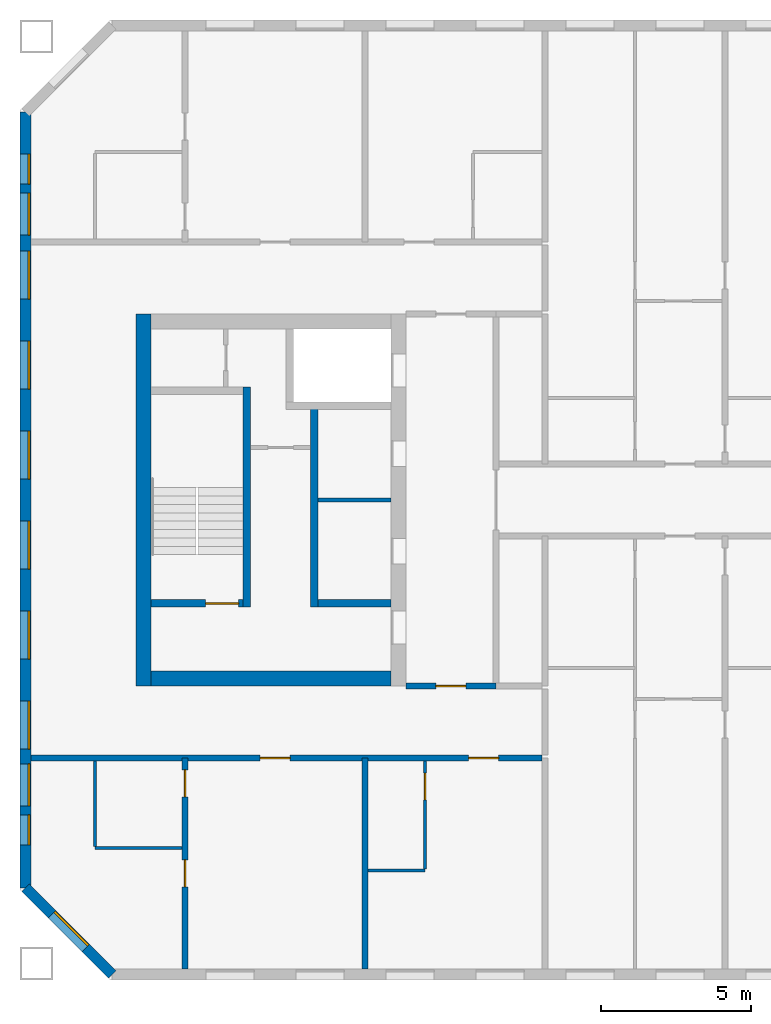
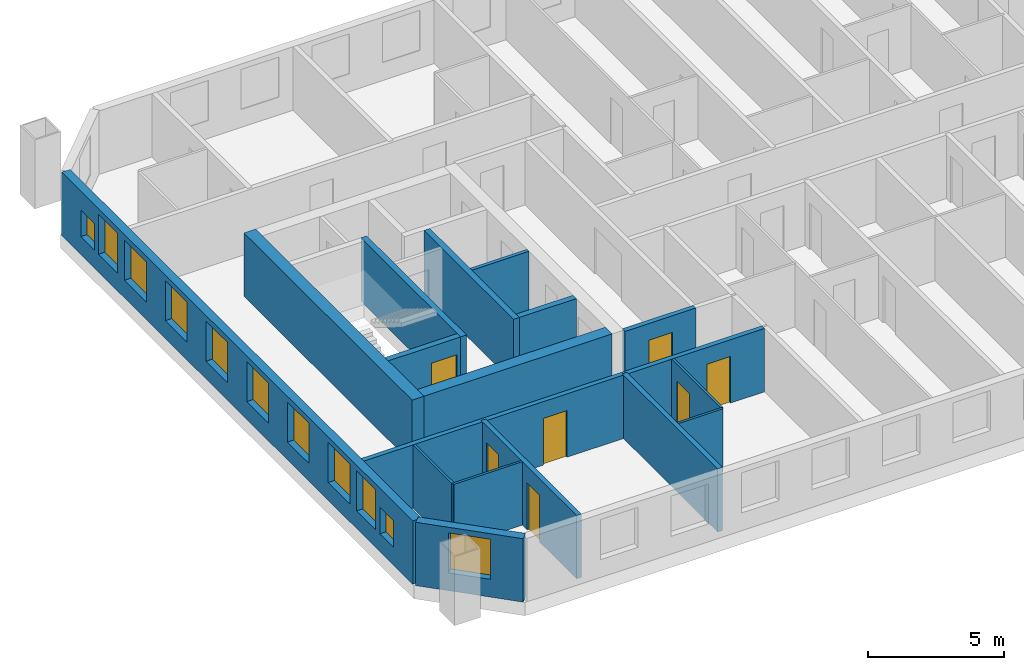
# One storey, part 2 of 15: 17 walls, 11 windows, 7 doors, 18 openings.
"""IFC4 building model written with IfcOpenShell, lengths in metres."""

import ifcopenshell
import ifcopenshell.guid

model = None  # the IFC model being written
_history = None  # IfcOwnerHistory: only IFC2X3 demands one
_inside = {}  # id of a spatial element -> (the spatial element, [elements in it])
_under = {}  # id of a project, library or spatial element -> (it, [spatial elements below it])
_declared = {}  # id of a project -> (the project, [libraries it declares])
_typed = {}  # id of a type object -> (the type object, [elements of that type])
_made_of = {}  # id of a material, layer set ... -> (it, [elements and type objects made of it])


def new_model(schema):
    """Start an empty IFC model of exactly this schema.

    Asked for "IFC4X3", IfcOpenShell would pick the latest addendum, in which some entities
    have other attributes; the version numbers below select the first issue.
    IFC2X3 requires an IfcOwnerHistory on every rooted entity: one is made here for all.
    """
    global model, _history
    if schema == "IFC4X3":
        model = ifcopenshell.file(schema_version=(4, 3, 0, 0))
    else:
        model = ifcopenshell.file(schema=schema)
    _inside.clear()
    _under.clear()
    _declared.clear()
    _typed.clear()
    _made_of.clear()
    _history = None
    if model.schema == "IFC2X3":
        org = make("IfcOrganization", Name="unknown")
        user = make(
            "IfcPersonAndOrganization",
            ThePerson=make("IfcPerson", FamilyName="unknown"),
            TheOrganization=org,
        )
        app = make(
            "IfcApplication",
            ApplicationDeveloper=org,
            Version="unknown",
            ApplicationFullName="unknown",
            ApplicationIdentifier="unknown",
        )
        _history = make(
            "IfcOwnerHistory",
            OwningUser=user,
            OwningApplication=app,
            ChangeAction="ADDED",
            CreationDate=0,
        )
    return model


def make(cls, **values):
    """One entity of the class cls with the attributes given. An attribute that is None is left unset."""
    return model.create_entity(
        cls, **{name: value for name, value in values.items() if value is not None}
    )


def rooted(cls, **values):
    """An entity with a GlobalId (a new one), such as an element, a storey or a relation."""
    return make(cls, GlobalId=ifcopenshell.guid.new(), OwnerHistory=_history, **values)


def si_unit(unit_type, name, prefix=None):
    """IfcSIUnit, for example si_unit("LENGTHUNIT", "METRE", prefix="MILLI")."""
    return make("IfcSIUnit", UnitType=unit_type, Prefix=prefix, Name=name)


def assignment(units):
    """IfcUnitAssignment: the units of a project."""
    return None if units is None else make("IfcUnitAssignment", Units=units)


def point(xyz):
    """IfcCartesianPoint."""
    return None if xyz is None else make("IfcCartesianPoint", Coordinates=xyz)


def direction(xyz):
    """IfcDirection."""
    return None if xyz is None else make("IfcDirection", DirectionRatios=xyz)


def frame(location, z_axis=None, x_axis=None):
    """IfcAxis2Placement3D, a coordinate frame: its origin and axes. An axis left out is left unset."""
    return make(
        "IfcAxis2Placement3D",
        Location=point(location),
        Axis=direction(z_axis),
        RefDirection=direction(x_axis),
    )


def frame_2d(location, x_axis=None):
    """IfcAxis2Placement2D, a coordinate frame in the plane: its origin and x axis."""
    return make(
        "IfcAxis2Placement2D", Location=point(location), RefDirection=direction(x_axis)
    )


def origin():
    """The frame at (0, 0, 0) with its axes left unset."""
    return frame((0.0, 0.0, 0.0))


def place(relative_to, where):
    """IfcLocalPlacement: puts the frame where relative to a parent placement (None: the world)."""
    return make(
        "IfcLocalPlacement", PlacementRelTo=relative_to, RelativePlacement=where
    )


def context(
    kind, dimensions, precision=None, world=None, true_north=None, identifier=None
):
    """IfcGeometricRepresentationContext, for example the 3D "Model" context."""
    return make(
        "IfcGeometricRepresentationContext",
        ContextIdentifier=identifier,
        ContextType=kind,
        CoordinateSpaceDimension=dimensions,
        Precision=precision,
        WorldCoordinateSystem=world,
        TrueNorth=true_north,
    )


def subcontext(parent, identifier, kind, view, scale=None):
    """IfcGeometricRepresentationSubContext, for example "Body" below "Model"."""
    return make(
        "IfcGeometricRepresentationSubContext",
        ContextIdentifier=identifier,
        ContextType=kind,
        ParentContext=parent,
        TargetScale=scale,
        TargetView=view,
    )


def project(units=None, contexts=None):
    """IfcProject with its units and contexts."""
    return rooted(
        "IfcProject",
        Name="project",
        RepresentationContexts=contexts,
        UnitsInContext=assignment(units),
    )


def spatial(cls, under=None, at=None, **own):
    """A site, building, storey or space (cls), placed at a placement, below another one or the project."""
    s = rooted(cls, ObjectPlacement=at, **own)
    if under is not None:
        _under.setdefault(under.id(), (under, []))[1].append(s)
    return s


def profile(cls, at=None, kind="AREA", **sizes):
    """A parametric profile (cls). Its sizes go by their IFC names, for example OverallWidth=200.0."""
    return make(cls, ProfileType=kind, Position=at, **sizes)


def rectangle(**sizes):
    """IfcRectangleProfileDef."""
    return profile("IfcRectangleProfileDef", **sizes)


def extrude(swept, where, along, depth):
    """IfcExtrudedAreaSolid: the profile swept, set in the frame where, extruded along a direction by depth."""
    return make(
        "IfcExtrudedAreaSolid",
        SweptArea=swept,
        Position=where,
        ExtrudedDirection=direction(along),
        Depth=depth,
    )


def shape(context_of_items, identifier, shape_type, items):
    """IfcShapeRepresentation: the items that make up one representation, for example the "Body"."""
    return make(
        "IfcShapeRepresentation",
        ContextOfItems=context_of_items,
        RepresentationIdentifier=identifier,
        RepresentationType=shape_type,
        Items=items,
    )


def material(Name=None, Category=None):
    """IfcMaterial."""
    return make("IfcMaterial", Name=Name, Category=Category)


def layer(
    of_material, thickness, ventilated=None, Name=None, Category=None, Priority=None
):
    """IfcMaterialLayer: one layer of a wall or slab, of a material (None: an air gap)."""
    return make(
        "IfcMaterialLayer",
        Material=of_material,
        LayerThickness=thickness,
        IsVentilated=ventilated,
        Name=Name,
        Category=Category,
        Priority=Priority,
    )


def layer_set(layers, Name=None):
    """IfcMaterialLayerSet."""
    return make("IfcMaterialLayerSet", MaterialLayers=layers, LayerSetName=Name)


def made_of(thing, what):
    """Note that an element or type object is made of a material, layer set ...; save() writes the relation."""
    if what is not None:
        _made_of.setdefault(what.id(), (what, []))[1].append(thing)
    return thing


def type_object(cls, material=None, **own):
    """A type object (cls), such as IfcWallType, which elements share."""
    return made_of(rooted(cls, **own), material)


def element(
    cls,
    number,
    at=None,
    inside=None,
    cuts=None,
    type_object=None,
    material=None,
    context=None,
    identifier="Body",
    shape_type=None,
    held_by="IfcProductDefinitionShape",
    body=None,
    shapes=None,
    **own,
):
    """One element of the class cls, such as IfcWall. Its Tag is "e" and its number.

    at: its placement. inside: the storey or other place that contains it. cuts: it is an
    opening in that element (IfcRelVoidsElement). A single representation is given by context,
    identifier, shape_type and body (its items); several are given by shapes. held_by: the class
    of the entity that holds the representations. save() writes the other relations.
    """
    e = rooted(cls, Tag="e%d" % number, ObjectPlacement=at, **own)
    if body is not None:
        shapes = [shape(context, identifier, shape_type, body)]
    if shapes is not None:
        e.Representation = make(held_by, Representations=shapes)
    if inside is not None:
        _inside.setdefault(inside.id(), (inside, []))[1].append(e)
    if cuts is not None:
        rooted(
            "IfcRelVoidsElement", RelatingBuildingElement=cuts, RelatedOpeningElement=e
        )
    if type_object is not None:
        _typed.setdefault(type_object.id(), (type_object, []))[1].append(e)
    return made_of(e, material)


def fill(opening, filler):
    """IfcRelFillsElement: the door or window that sits in an opening."""
    return rooted(
        "IfcRelFillsElement",
        RelatingOpeningElement=opening,
        RelatedBuildingElement=filler,
    )


def aggregate(whole, parts):
    """IfcRelAggregates: a whole, such as a stair, and the parts it consists of."""
    return rooted("IfcRelAggregates", RelatingObject=whole, RelatedObjects=parts)


def save(model, path):
    """Write the relations noted so far, then the file.

    IfcRelAggregates (storeys below a building ...), IfcRelContainedInSpatialStructure (elements
    in a storey), IfcRelDefinesByType, IfcRelAssociatesMaterial and IfcRelDeclares: one each for
    every whole, place, type object, material and project.
    """
    for whole, parts in _under.values():
        aggregate(whole, parts)
    for where, things in _inside.values():
        rooted(
            "IfcRelContainedInSpatialStructure",
            RelatedElements=things,
            RelatingStructure=where,
        )
    for kind, things in _typed.values():
        rooted("IfcRelDefinesByType", RelatedObjects=things, RelatingType=kind)
    for what, things in _made_of.values():
        rooted("IfcRelAssociatesMaterial", RelatedObjects=things, RelatingMaterial=what)
    for by, libraries in _declared.values():
        rooted("IfcRelDeclares", RelatingContext=by, RelatedDefinitions=libraries)
    model.write(path)


model = new_model("IFC4")

# Units and contexts
model_context = context("Model", 3, precision=1e-05, world=origin(), true_north=direction((0.0, 1.0)))
body_context = subcontext(model_context, "Body", "Model", "MODEL_VIEW")
ifc_project = project(units=[si_unit("LENGTHUNIT", "METRE"), si_unit("AREAUNIT", "SQUARE_METRE"), si_unit("VOLUMEUNIT", "CUBIC_METRE"), si_unit("PLANEANGLEUNIT", "RADIAN"), si_unit("MASSUNIT", "GRAM", prefix="KILO")], contexts=[model_context])

# Site, building, storey
site_placement = place(None, origin())
site = spatial("IfcSite", under=ifc_project, at=site_placement, CompositionType="ELEMENT")
building_placement = place(site_placement, origin())
building = spatial("IfcBuilding", under=site, at=building_placement, Name="Tuart Gate Housing", CompositionType="ELEMENT")
storey_placement = place(building_placement, frame((0.0, 0.0, 148.5)))
storey = spatial("IfcBuildingStorey", under=building, at=storey_placement, Name="L41", CompositionType="ELEMENT", Elevation=148.5)

# Wall, opening, window
ifc_material_1 = material(Name="Brick", Category="masonry")
ifc_layer_1 = layer(ifc_material_1, 0.360107421875)
ifc_layer_set_1 = layer_set([ifc_layer_1], Name="Brick pier and spandrel wall 360")
wall_type_1 = type_object("IfcWallType", Name="Brick pier and spandrel wall 360", PredefinedType="STANDARD", material=ifc_layer_set_1)
wall_1_placement = place(storey_placement, frame((28.679931640625, 57.07470703125, 0.0), z_axis=(0.0, 0.0, 1.0), x_axis=(0.707106781187, -0.707106781187, 0.0)))
wall_1 = element("IfcWall", 1, at=wall_1_placement, inside=storey, type_object=wall_type_1, Name="External wall A-SW L41", PredefinedType="STANDARD", context=body_context, shape_type="SweptSolid", body=[
    extrude(rectangle(XDim=4.09375, YDim=0.360107421875, at=frame_2d((2.046875, 0.0))), origin(), (0.0, 0.0, 1.0), 2.85009765625),
])
opening_1_placement = place(wall_1_placement, frame((1.2470703125, 0.0, 0.800048828125)))
opening_1 = element("IfcOpeningElement", 2, at=opening_1_placement, cuts=wall_1, Name="Opening W1", PredefinedType="OPENING", context=body_context, shape_type="SweptSolid", body=[
    extrude(rectangle(XDim=1.60009765625, YDim=1.800048828125, at=frame_2d((0.800048828125, 0.89990234375))), frame((0.0, 0.18994140625, 0.0), z_axis=(0.0, -1.0, 0.0), x_axis=(1.0, 0.0, 0.0)), (0.0, 0.0, 1.0), 0.380126953125),
])
ifc_material_2 = material(Name="Aluminium frame with clear glass", Category="aluminium")
window_type_1 = type_object("IfcWindowType", Name="Punched window 1600 x 1800", PartitioningType="SINGLE_PANEL", PredefinedType="WINDOW", material=ifc_material_2)
window_1_placement = place(opening_1_placement, origin())
window_1 = element("IfcWindow", 3, at=window_1_placement, inside=storey, type_object=window_type_1, Name="Window W1", OverallHeight=1.800048828125, OverallWidth=1.60009765625, PartitioningType="SINGLE_PANEL", PredefinedType="WINDOW", context=body_context, shape_type="SweptSolid", body=[
    extrude(rectangle(XDim=1.60009765625, YDim=1.800048828125, at=frame_2d((0.800048828125, 0.89990234375))), frame((0.0, 0.150146484375, 0.0), z_axis=(0.0, -1.0, 0.0), x_axis=(1.0, 0.0, 0.0)), (0.0, 0.0, 1.0), 0.06005859375),
])
fill(opening_1, window_1)

# Wall, openings, windows
wall_2_placement = place(storey_placement, frame((28.679931640625, 82.92529296875, 0.0), z_axis=(0.0, 0.0, 1.0), x_axis=(0.0, -1.0, 0.0)))
wall_2 = element("IfcWall", 4, at=wall_2_placement, inside=storey, type_object=wall_type_1, Name="External wall A-W L41", PredefinedType="STANDARD", context=body_context, shape_type="SweptSolid", body=[
    extrude(rectangle(XDim=25.850830078125, YDim=0.360107421875, at=frame_2d((12.92529296875, 0.0))), origin(), (0.0, 0.0, 1.0), 2.85009765625),
])
opening_2_placement = place(wall_2_placement, frame((1.39990234375, 0.0, 0.800048828125)))
opening_2 = element("IfcOpeningElement", 5, at=opening_2_placement, cuts=wall_2, Name="Opening W1O", PredefinedType="OPENING", context=body_context, shape_type="SweptSolid", body=[
    extrude(rectangle(XDim=1.0, YDim=1.199951171875, at=frame_2d((0.5, 0.60009765625))), frame((0.0, 0.18994140625, 0.0), z_axis=(0.0, -1.0, 0.0), x_axis=(1.0, 0.0, 0.0)), (0.0, 0.0, 1.0), 0.380126953125),
])
opening_3_placement = place(wall_2_placement, frame((4.62548828125, 0.0, 0.800048828125)))
opening_3 = element("IfcOpeningElement", 6, at=opening_3_placement, cuts=wall_2, Name="Opening W1", PredefinedType="OPENING", context=body_context, shape_type="SweptSolid", body=[
    extrude(rectangle(XDim=1.60009765625, YDim=1.800048828125, at=frame_2d((0.800048828125, 0.89990234375))), frame((0.0, 0.18994140625, 0.0), z_axis=(0.0, -1.0, 0.0), x_axis=(1.0, 0.0, 0.0)), (0.0, 0.0, 1.0), 0.380126953125),
])
opening_4_placement = place(wall_2_placement, frame((7.62548828125, 0.0, 0.800048828125)))
opening_4 = element("IfcOpeningElement", 7, at=opening_4_placement, cuts=wall_2, Name="Opening W1", PredefinedType="OPENING", context=body_context, shape_type="SweptSolid", body=[
    extrude(rectangle(XDim=1.60009765625, YDim=1.800048828125, at=frame_2d((0.800048828125, 0.89990234375))), frame((0.0, 0.18994140625, 0.0), z_axis=(0.0, -1.0, 0.0), x_axis=(1.0, 0.0, 0.0)), (0.0, 0.0, 1.0), 0.380126953125),
])
opening_5_placement = place(wall_2_placement, frame((10.62548828125, 0.0, 0.800048828125)))
opening_5 = element("IfcOpeningElement", 8, at=opening_5_placement, cuts=wall_2, Name="Opening W1", PredefinedType="OPENING", context=body_context, shape_type="SweptSolid", body=[
    extrude(rectangle(XDim=1.60009765625, YDim=1.800048828125, at=frame_2d((0.800048828125, 0.89990234375))), frame((0.0, 0.18994140625, 0.0), z_axis=(0.0, -1.0, 0.0), x_axis=(1.0, 0.0, 0.0)), (0.0, 0.0, 1.0), 0.380126953125),
])
opening_6_placement = place(wall_2_placement, frame((13.62548828125, 0.0, 0.800048828125)))
opening_6 = element("IfcOpeningElement", 9, at=opening_6_placement, cuts=wall_2, Name="Opening W1", PredefinedType="OPENING", context=body_context, shape_type="SweptSolid", body=[
    extrude(rectangle(XDim=1.60009765625, YDim=1.800048828125, at=frame_2d((0.800048828125, 0.89990234375))), frame((0.0, 0.18994140625, 0.0), z_axis=(0.0, -1.0, 0.0), x_axis=(1.0, 0.0, 0.0)), (0.0, 0.0, 1.0), 0.380126953125),
])
opening_7_placement = place(wall_2_placement, frame((16.62548828125, 0.0, 0.800048828125)))
opening_7 = element("IfcOpeningElement", 10, at=opening_7_placement, cuts=wall_2, Name="Opening W1", PredefinedType="OPENING", context=body_context, shape_type="SweptSolid", body=[
    extrude(rectangle(XDim=1.60009765625, YDim=1.800048828125, at=frame_2d((0.800048828125, 0.89990234375))), frame((0.0, 0.18994140625, 0.0), z_axis=(0.0, -1.0, 0.0), x_axis=(1.0, 0.0, 0.0)), (0.0, 0.0, 1.0), 0.380126953125),
])
opening_8_placement = place(wall_2_placement, frame((19.62548828125, 0.0, 0.800048828125)))
opening_8 = element("IfcOpeningElement", 11, at=opening_8_placement, cuts=wall_2, Name="Opening W1", PredefinedType="OPENING", context=body_context, shape_type="SweptSolid", body=[
    extrude(rectangle(XDim=1.60009765625, YDim=1.800048828125, at=frame_2d((0.800048828125, 0.89990234375))), frame((0.0, 0.18994140625, 0.0), z_axis=(0.0, -1.0, 0.0), x_axis=(1.0, 0.0, 0.0)), (0.0, 0.0, 1.0), 0.380126953125),
])
opening_9_placement = place(wall_2_placement, frame((21.725341796875, 0.0, 0.800048828125)))
opening_9 = element("IfcOpeningElement", 12, at=opening_9_placement, cuts=wall_2, Name="Opening W1A", PredefinedType="OPENING", context=body_context, shape_type="SweptSolid", body=[
    extrude(rectangle(XDim=1.39990234375, YDim=1.800048828125, at=frame_2d((0.699951171875, 0.89990234375))), frame((0.0, 0.18994140625, 0.0), z_axis=(0.0, -1.0, 0.0), x_axis=(1.0, 0.0, 0.0)), (0.0, 0.0, 1.0), 0.380126953125),
])
opening_10_placement = place(wall_2_placement, frame((2.699951171875, 0.0, 0.800048828125)))
opening_10 = element("IfcOpeningElement", 13, at=opening_10_placement, cuts=wall_2, Name="Opening W1A", PredefinedType="OPENING", context=body_context, shape_type="SweptSolid", body=[
    extrude(rectangle(XDim=1.39990234375, YDim=1.800048828125, at=frame_2d((0.699951171875, 0.89990234375))), frame((0.0, 0.18994140625, 0.0), z_axis=(0.0, -1.0, 0.0), x_axis=(1.0, 0.0, 0.0)), (0.0, 0.0, 1.0), 0.380126953125),
])
opening_11_placement = place(wall_2_placement, frame((23.42529296875, 0.0, 0.800048828125)))
opening_11 = element("IfcOpeningElement", 14, at=opening_11_placement, cuts=wall_2, Name="Opening W1O", PredefinedType="OPENING", context=body_context, shape_type="SweptSolid", body=[
    extrude(rectangle(XDim=1.0, YDim=1.199951171875, at=frame_2d((0.5, 0.60009765625))), frame((0.0, 0.18994140625, 0.0), z_axis=(0.0, -1.0, 0.0), x_axis=(1.0, 0.0, 0.0)), (0.0, 0.0, 1.0), 0.380126953125),
])
ifc_material_3 = material(Name="Aluminium frame with clear glass", Category="aluminium")
window_type_2 = type_object("IfcWindowType", Name="Punched window 1000 x 1200", PartitioningType="SINGLE_PANEL", PredefinedType="WINDOW", material=ifc_material_3)
window_2_placement = place(opening_2_placement, origin())
window_2 = element("IfcWindow", 15, at=window_2_placement, inside=storey, type_object=window_type_2, Name="Window W1O", OverallHeight=1.199951171875, OverallWidth=1.0, PartitioningType="SINGLE_PANEL", PredefinedType="WINDOW", context=body_context, shape_type="SweptSolid", body=[
    extrude(rectangle(XDim=1.0, YDim=1.199951171875, at=frame_2d((0.5, 0.60009765625))), frame((0.0, 0.150146484375, 0.0), z_axis=(0.0, -1.0, 0.0), x_axis=(1.0, 0.0, 0.0)), (0.0, 0.0, 1.0), 0.06005859375),
])
fill(opening_2, window_2)
window_3_placement = place(opening_11_placement, origin())
window_3 = element("IfcWindow", 16, at=window_3_placement, inside=storey, type_object=window_type_2, Name="Window W1O", OverallHeight=1.199951171875, OverallWidth=1.0, PartitioningType="SINGLE_PANEL", PredefinedType="WINDOW", context=body_context, shape_type="SweptSolid", body=[
    extrude(rectangle(XDim=1.0, YDim=1.199951171875, at=frame_2d((0.5, 0.60009765625))), frame((0.0, 0.150146484375, 0.0), z_axis=(0.0, -1.0, 0.0), x_axis=(1.0, 0.0, 0.0)), (0.0, 0.0, 1.0), 0.06005859375),
])
fill(opening_11, window_3)
ifc_material_4 = material(Name="Aluminium frame with clear glass", Category="aluminium")
window_type_3 = type_object("IfcWindowType", Name="Punched window 1400 x 1800", PartitioningType="SINGLE_PANEL", PredefinedType="WINDOW", material=ifc_material_4)
window_4_placement = place(opening_9_placement, origin())
window_4 = element("IfcWindow", 17, at=window_4_placement, inside=storey, type_object=window_type_3, Name="Window W1A", OverallHeight=1.800048828125, OverallWidth=1.39990234375, PartitioningType="SINGLE_PANEL", PredefinedType="WINDOW", context=body_context, shape_type="SweptSolid", body=[
    extrude(rectangle(XDim=1.39990234375, YDim=1.800048828125, at=frame_2d((0.699951171875, 0.89990234375))), frame((0.0, 0.150146484375, 0.0), z_axis=(0.0, -1.0, 0.0), x_axis=(1.0, 0.0, 0.0)), (0.0, 0.0, 1.0), 0.06005859375),
])
fill(opening_9, window_4)
window_5_placement = place(opening_10_placement, origin())
window_5 = element("IfcWindow", 18, at=window_5_placement, inside=storey, type_object=window_type_3, Name="Window W1A", OverallHeight=1.800048828125, OverallWidth=1.39990234375, PartitioningType="SINGLE_PANEL", PredefinedType="WINDOW", context=body_context, shape_type="SweptSolid", body=[
    extrude(rectangle(XDim=1.39990234375, YDim=1.800048828125, at=frame_2d((0.699951171875, 0.89990234375))), frame((0.0, 0.150146484375, 0.0), z_axis=(0.0, -1.0, 0.0), x_axis=(1.0, 0.0, 0.0)), (0.0, 0.0, 1.0), 0.06005859375),
])
fill(opening_10, window_5)
window_6_placement = place(opening_3_placement, origin())
window_6 = element("IfcWindow", 19, at=window_6_placement, inside=storey, type_object=window_type_1, Name="Window W1", OverallHeight=1.800048828125, OverallWidth=1.60009765625, PartitioningType="SINGLE_PANEL", PredefinedType="WINDOW", context=body_context, shape_type="SweptSolid", body=[
    extrude(rectangle(XDim=1.60009765625, YDim=1.800048828125, at=frame_2d((0.800048828125, 0.89990234375))), frame((0.0, 0.150146484375, 0.0), z_axis=(0.0, -1.0, 0.0), x_axis=(1.0, 0.0, 0.0)), (0.0, 0.0, 1.0), 0.06005859375),
])
fill(opening_3, window_6)
window_7_placement = place(opening_4_placement, origin())
window_7 = element("IfcWindow", 20, at=window_7_placement, inside=storey, type_object=window_type_1, Name="Window W1", OverallHeight=1.800048828125, OverallWidth=1.60009765625, PartitioningType="SINGLE_PANEL", PredefinedType="WINDOW", context=body_context, shape_type="SweptSolid", body=[
    extrude(rectangle(XDim=1.60009765625, YDim=1.800048828125, at=frame_2d((0.800048828125, 0.89990234375))), frame((0.0, 0.150146484375, 0.0), z_axis=(0.0, -1.0, 0.0), x_axis=(1.0, 0.0, 0.0)), (0.0, 0.0, 1.0), 0.06005859375),
])
fill(opening_4, window_7)
window_8_placement = place(opening_5_placement, origin())
window_8 = element("IfcWindow", 21, at=window_8_placement, inside=storey, type_object=window_type_1, Name="Window W1", OverallHeight=1.800048828125, OverallWidth=1.60009765625, PartitioningType="SINGLE_PANEL", PredefinedType="WINDOW", context=body_context, shape_type="SweptSolid", body=[
    extrude(rectangle(XDim=1.60009765625, YDim=1.800048828125, at=frame_2d((0.800048828125, 0.89990234375))), frame((0.0, 0.150146484375, 0.0), z_axis=(0.0, -1.0, 0.0), x_axis=(1.0, 0.0, 0.0)), (0.0, 0.0, 1.0), 0.06005859375),
])
fill(opening_5, window_8)
window_9_placement = place(opening_6_placement, origin())
window_9 = element("IfcWindow", 22, at=window_9_placement, inside=storey, type_object=window_type_1, Name="Window W1", OverallHeight=1.800048828125, OverallWidth=1.60009765625, PartitioningType="SINGLE_PANEL", PredefinedType="WINDOW", context=body_context, shape_type="SweptSolid", body=[
    extrude(rectangle(XDim=1.60009765625, YDim=1.800048828125, at=frame_2d((0.800048828125, 0.89990234375))), frame((0.0, 0.150146484375, 0.0), z_axis=(0.0, -1.0, 0.0), x_axis=(1.0, 0.0, 0.0)), (0.0, 0.0, 1.0), 0.06005859375),
])
fill(opening_6, window_9)
window_10_placement = place(opening_7_placement, origin())
window_10 = element("IfcWindow", 23, at=window_10_placement, inside=storey, type_object=window_type_1, Name="Window W1", OverallHeight=1.800048828125, OverallWidth=1.60009765625, PartitioningType="SINGLE_PANEL", PredefinedType="WINDOW", context=body_context, shape_type="SweptSolid", body=[
    extrude(rectangle(XDim=1.60009765625, YDim=1.800048828125, at=frame_2d((0.800048828125, 0.89990234375))), frame((0.0, 0.150146484375, 0.0), z_axis=(0.0, -1.0, 0.0), x_axis=(1.0, 0.0, 0.0)), (0.0, 0.0, 1.0), 0.06005859375),
])
fill(opening_7, window_10)
window_11_placement = place(opening_8_placement, origin())
window_11 = element("IfcWindow", 24, at=window_11_placement, inside=storey, type_object=window_type_1, Name="Window W1", OverallHeight=1.800048828125, OverallWidth=1.60009765625, PartitioningType="SINGLE_PANEL", PredefinedType="WINDOW", context=body_context, shape_type="SweptSolid", body=[
    extrude(rectangle(XDim=1.60009765625, YDim=1.800048828125, at=frame_2d((0.800048828125, 0.89990234375))), frame((0.0, 0.150146484375, 0.0), z_axis=(0.0, -1.0, 0.0), x_axis=(1.0, 0.0, 0.0)), (0.0, 0.0, 1.0), 0.06005859375),
])
fill(opening_8, window_11)

# Walls
ifc_material_5 = material(Name="Plasterboard partition")
ifc_layer_2 = layer(ifc_material_5, 0.14990234375)
ifc_layer_set_2 = layer_set([ifc_layer_2], Name="Core partition 150")
wall_type_2 = type_object("IfcWallType", Name="Core partition 150", PredefinedType="PARTITIONING", material=ifc_layer_set_2)
wall_3_placement = place(storey_placement, frame((40.860107421875, 70.0, 0.0), z_axis=(0.0, 0.0, 1.0), x_axis=(-1.0, 0.0, 0.0)))
element("IfcWall", 25, at=wall_3_placement, inside=storey, type_object=wall_type_2, Name="Core partition AK.4", PredefinedType="PARTITIONING", context=body_context, shape_type="SweptSolid", body=[
    extrude(rectangle(XDim=2.425048828125, YDim=0.14990234375, at=frame_2d((1.21240234375, 0.0))), origin(), (0.0, 0.0, 1.0), 2.85009765625),
])
ifc_material_6 = material(Name="Concrete C40", Category="concrete")
ifc_layer_3 = layer(ifc_material_6, 0.25)
ifc_layer_set_3 = layer_set([ifc_layer_3], Name="Core wall 250 C40")
wall_type_3 = type_object("IfcWallType", Name="Core wall 250 C40", PredefinedType="SHEAR", material=ifc_layer_set_3)
wall_4_placement = place(storey_placement, frame((40.860107421875, 66.550048828125, 0.0), z_axis=(0.0, 0.0, 1.0), x_axis=(-1.0, 0.0, 0.0)))
element("IfcWall", 26, at=wall_4_placement, inside=storey, type_object=wall_type_3, Name="Core wall AK.5", PredefinedType="SHEAR", context=body_context, shape_type="SweptSolid", body=[
    extrude(rectangle(XDim=2.425048828125, YDim=0.25, at=frame_2d((1.21240234375, 0.0))), origin(), (0.0, 0.0, 1.0), 2.85009765625),
])

# Wall, opening, door
wall_5_placement = place(storey_placement, frame((35.93505859375, 66.550048828125, 0.0), z_axis=(0.0, 0.0, 1.0), x_axis=(-1.0, 0.0, 0.0)))
wall_5 = element("IfcWall", 27, at=wall_5_placement, inside=storey, type_object=wall_type_3, Name="Core wall AK.6", PredefinedType="SHEAR", context=body_context, shape_type="SweptSolid", body=[
    extrude(rectangle(XDim=3.074951171875, YDim=0.25, at=frame_2d((1.53759765625, 0.0))), origin(), (0.0, 0.0, 1.0), 2.85009765625),
])
opening_12_placement = place(wall_5_placement, frame((0.14990234375, 0.0, 0.0)))
opening_12 = element("IfcOpeningElement", 28, at=opening_12_placement, cuts=wall_5, Name="Opening D1551", PredefinedType="OPENING", context=body_context, shape_type="SweptSolid", body=[
    extrude(rectangle(XDim=1.10009765625, YDim=2.10009765625, at=frame_2d((0.550048828125, 1.050048828125))), frame((0.0, 0.135009765625, 0.0), z_axis=(0.0, -1.0, 0.0), x_axis=(1.0, 0.0, 0.0)), (0.0, 0.0, 1.0), 0.27001953125),
])
ifc_material_7 = material(Name="Steel fire door", Category="steel")
door_type_1 = type_object("IfcDoorType", Name="Stair door 1100 x 2100 RH", OperationType="SINGLE_SWING_RIGHT", PredefinedType="DOOR", material=ifc_material_7)
door_1_placement = place(opening_12_placement, frame((1.10009765625, 0.0, 0.0), z_axis=(0.0, 0.0, 1.0), x_axis=(-1.0, 0.0, 0.0)))
door_1 = element("IfcDoor", 29, at=door_1_placement, inside=storey, type_object=door_type_1, Name="Stair door AK.SD", OperationType="SINGLE_SWING_RIGHT", OverallHeight=2.10009765625, OverallWidth=1.10009765625, PredefinedType="DOOR", context=body_context, shape_type="SweptSolid", body=[
    extrude(rectangle(XDim=1.10009765625, YDim=2.10009765625, at=frame_2d((0.550048828125, 1.050048828125))), frame((0.0, 0.025146484375, 0.0), z_axis=(0.0, -1.0, 0.0), x_axis=(1.0, 0.0, 0.0)), (0.0, 0.0, 1.0), 0.050048828125),
])
fill(opening_12, door_1)

# Walls
wall_6_placement = place(storey_placement, frame((38.31005859375, 73.02490234375, 0.0), z_axis=(0.0, 0.0, 1.0), x_axis=(0.0, -1.0, 0.0)))
element("IfcWall", 30, at=wall_6_placement, inside=storey, type_object=wall_type_3, Name="Core wall AK.7", PredefinedType="SHEAR", context=body_context, shape_type="SweptSolid", body=[
    extrude(rectangle(XDim=6.599853515625, YDim=0.25, at=frame_2d((3.2998046875, 0.0))), origin(), (0.0, 0.0, 1.0), 2.85009765625),
])
wall_7_placement = place(storey_placement, frame((36.06005859375, 73.77490234375, 0.0), z_axis=(0.0, 0.0, 1.0), x_axis=(0.0, -1.0, 0.0)))
element("IfcWall", 31, at=wall_7_placement, inside=storey, type_object=wall_type_3, Name="Core wall AK.9", PredefinedType="SHEAR", context=body_context, shape_type="SweptSolid", body=[
    extrude(rectangle(XDim=7.349853515625, YDim=0.25, at=frame_2d((3.6748046875, 0.0))), origin(), (0.0, 0.0, 1.0), 2.85009765625),
])
ifc_material_8 = material(Name="Concrete C40", Category="concrete")
ifc_layer_4 = layer(ifc_material_8, 0.5)
ifc_layer_set_4 = layer_set([ifc_layer_4], Name="Core wall 500 C40")
wall_type_4 = type_object("IfcWallType", Name="Core wall 500 C40", PredefinedType="SHEAR", material=ifc_layer_set_4)
wall_8_placement = place(storey_placement, frame((32.610107421875, 76.199951171875, 0.0), z_axis=(0.0, 0.0, 1.0), x_axis=(0.0, -1.0, 0.0)))
element("IfcWall", 32, at=wall_8_placement, inside=storey, type_object=wall_type_4, Name="Core wall AK back", PredefinedType="SHEAR", context=body_context, shape_type="SweptSolid", body=[
    extrude(rectangle(XDim=12.39990234375, YDim=0.5, at=frame_2d((6.199951171875, 0.0))), origin(), (0.0, 0.0, 1.0), 2.85009765625),
])
wall_9_placement = place(storey_placement, frame((40.860107421875, 64.050048828125, 0.0), z_axis=(0.0, 0.0, 1.0), x_axis=(-1.0, 0.0, 0.0)))
element("IfcWall", 33, at=wall_9_placement, inside=storey, type_object=wall_type_4, Name="Core wall AK north", PredefinedType="SHEAR", context=body_context, shape_type="SweptSolid", body=[
    extrude(rectangle(XDim=8.0, YDim=0.5, at=frame_2d((4.0, 0.0))), origin(), (0.0, 0.0, 1.0), 2.85009765625),
])

# Wall, openings, doors
ifc_material_9 = material(Name="Concrete masonry 15 MPa", Category="masonry")
ifc_layer_5 = layer(ifc_material_9, 0.199951171875)
ifc_layer_set_5 = layer_set([ifc_layer_5], Name="Corridor wall masonry 200")
wall_type_5 = type_object("IfcWallType", Name="Corridor wall masonry 200", PredefinedType="PARTITIONING", material=ifc_layer_set_5)
wall_10_placement = place(storey_placement, frame((28.860107421875, 61.39990234375, 0.0), z_axis=(0.0, 0.0, 1.0), x_axis=(1.0, 0.0, 0.0)))
wall_10 = element("IfcWall", 34, at=wall_10_placement, inside=storey, type_object=wall_type_5, Name="Corridor wall masonry 200", PredefinedType="PARTITIONING", context=body_context, shape_type="SweptSolid", body=[
    extrude(rectangle(XDim=17.039794921875, YDim=0.199951171875, at=frame_2d((8.52001953125, 0.0))), origin(), (0.0, 0.0, 1.0), 2.85009765625),
])
opening_13_placement = place(wall_10_placement, frame((14.590087890625, 0.0, 0.0)))
opening_13 = element("IfcOpeningElement", 35, at=opening_13_placement, cuts=wall_10, Name="Opening D1564", PredefinedType="OPENING", context=body_context, shape_type="SweptSolid", body=[
    extrude(rectangle(XDim=1.0, YDim=2.10009765625, at=frame_2d((0.5, 1.050048828125))), frame((0.0, 0.10986328125, 0.0), z_axis=(0.0, -1.0, 0.0), x_axis=(1.0, 0.0, 0.0)), (0.0, 0.0, 1.0), 0.219970703125),
])
opening_14_placement = place(wall_10_placement, frame((7.639892578125, 0.0, 0.0)))
opening_14 = element("IfcOpeningElement", 36, at=opening_14_placement, cuts=wall_10, Name="Opening D1565", PredefinedType="OPENING", context=body_context, shape_type="SweptSolid", body=[
    extrude(rectangle(XDim=1.0, YDim=2.10009765625, at=frame_2d((0.5, 1.050048828125))), frame((0.0, 0.10986328125, 0.0), z_axis=(0.0, -1.0, 0.0), x_axis=(1.0, 0.0, 0.0)), (0.0, 0.0, 1.0), 0.219970703125),
])
ifc_material_10 = material(Name="Timber door leaf in steel frame", Category="steel")
door_type_2 = type_object("IfcDoorType", Name="Flat entrance door 1000 RH", OperationType="SINGLE_SWING_RIGHT", PredefinedType="DOOR", material=ifc_material_10)
door_2_placement = place(opening_13_placement, frame((1.0, 0.0, 0.0), z_axis=(0.0, 0.0, 1.0), x_axis=(-1.0, 0.0, 0.0)))
door_2 = element("IfcDoor", 37, at=door_2_placement, inside=storey, type_object=door_type_2, Name="Flat entrance door", OperationType="SINGLE_SWING_RIGHT", OverallHeight=2.10009765625, OverallWidth=1.0, PredefinedType="DOOR", context=body_context, shape_type="SweptSolid", body=[
    extrude(rectangle(XDim=1.0, YDim=2.10009765625, at=frame_2d((0.5, 1.050048828125))), frame((0.0, 0.025146484375, 0.0), z_axis=(0.0, -1.0, 0.0), x_axis=(1.0, 0.0, 0.0)), (0.0, 0.0, 1.0), 0.050048828125),
])
fill(opening_13, door_2)
door_3_placement = place(opening_14_placement, frame((1.0, 0.0, 0.0), z_axis=(0.0, 0.0, 1.0), x_axis=(-1.0, 0.0, 0.0)))
door_3 = element("IfcDoor", 38, at=door_3_placement, inside=storey, type_object=door_type_2, Name="Flat entrance door", OperationType="SINGLE_SWING_RIGHT", OverallHeight=2.10009765625, OverallWidth=1.0, PredefinedType="DOOR", context=body_context, shape_type="SweptSolid", body=[
    extrude(rectangle(XDim=1.0, YDim=2.10009765625, at=frame_2d((0.5, 1.050048828125))), frame((0.0, 0.025146484375, 0.0), z_axis=(0.0, -1.0, 0.0), x_axis=(1.0, 0.0, 0.0)), (0.0, 0.0, 1.0), 0.050048828125),
])
fill(opening_14, door_3)

# Wall, opening, door
ifc_material_11 = material(Name="Concrete masonry 15 MPa", Category="masonry")
ifc_layer_6 = layer(ifc_material_11, 0.199951171875)
ifc_layer_set_6 = layer_set([ifc_layer_6], Name="Enclosure wall masonry 200")
wall_type_6 = type_object("IfcWallType", Name="Enclosure wall masonry 200", PredefinedType="PARTITIONING", material=ifc_layer_set_6)
wall_11_placement = place(storey_placement, frame((41.360107421875, 63.800048828125, 0.0), z_axis=(0.0, 0.0, 1.0), x_axis=(1.0, 0.0, 0.0)))
wall_11 = element("IfcWall", 39, at=wall_11_placement, inside=storey, type_object=wall_type_6, Name="Enclosure wall masonry 200", PredefinedType="PARTITIONING", context=body_context, shape_type="SweptSolid", body=[
    extrude(rectangle(XDim=3.0, YDim=0.199951171875, at=frame_2d((1.5, 0.0))), origin(), (0.0, 0.0, 1.0), 2.85009765625),
])
opening_15_placement = place(wall_11_placement, frame((1.0, 0.0, 0.0)))
opening_15 = element("IfcOpeningElement", 40, at=opening_15_placement, cuts=wall_11, Name="Opening D1552", PredefinedType="OPENING", context=body_context, shape_type="SweptSolid", body=[
    extrude(rectangle(XDim=1.0, YDim=2.10009765625, at=frame_2d((0.5, 1.050048828125))), frame((0.0, 0.10986328125, 0.0), z_axis=(0.0, -1.0, 0.0), x_axis=(1.0, 0.0, 0.0)), (0.0, 0.0, 1.0), 0.219970703125),
])
ifc_material_12 = material(Name="Timber door leaf in steel frame", Category="steel")
door_type_3 = type_object("IfcDoorType", Name="Fire door 1000", OperationType="SINGLE_SWING_LEFT", PredefinedType="DOOR", material=ifc_material_12)
door_4_placement = place(opening_15_placement, frame((1.0, 0.0, 0.0), z_axis=(0.0, 0.0, 1.0), x_axis=(-1.0, 0.0, 0.0)))
door_4 = element("IfcDoor", 41, at=door_4_placement, inside=storey, type_object=door_type_3, Name="Fire door", OperationType="SINGLE_SWING_LEFT", OverallHeight=2.10009765625, OverallWidth=1.0, PredefinedType="DOOR", context=body_context, shape_type="SweptSolid", body=[
    extrude(rectangle(XDim=1.0, YDim=2.10009765625, at=frame_2d((0.5, 1.050048828125))), frame((0.0, 0.025146484375, 0.0), z_axis=(0.0, -1.0, 0.0), x_axis=(1.0, 0.0, 0.0)), (0.0, 0.0, 1.0), 0.050048828125),
])
fill(opening_15, door_4)

# Walls
ifc_material_13 = material(Name="Gypsum board on steel studs", Category="steel")
ifc_layer_7 = layer(ifc_material_13, 0.10009765625)
ifc_layer_set_7 = layer_set([ifc_layer_7], Name="Partition 100")
wall_type_7 = type_object("IfcWallType", Name="Partition 100", PredefinedType="PARTITIONING", material=ifc_layer_set_7)
wall_12_placement = place(storey_placement, frame((40.10009765625, 57.64990234375, 0.0), z_axis=(0.0, 0.0, 1.0), x_axis=(1.0, 0.0, 0.0)))
element("IfcWall", 42, at=wall_12_placement, inside=storey, type_object=wall_type_7, Name="Partition 100", PredefinedType="PARTITIONING", context=body_context, shape_type="SweptSolid", body=[
    extrude(rectangle(XDim=1.89990234375, YDim=0.10009765625, at=frame_2d((0.949951171875, 0.0))), origin(), (0.0, 0.0, 1.0), 2.85009765625),
])
wall_13_placement = place(storey_placement, frame((31.0, 58.39990234375, 0.0), z_axis=(0.0, 0.0, 1.0), x_axis=(1.0, 0.0, 0.0)))
element("IfcWall", 43, at=wall_13_placement, inside=storey, type_object=wall_type_7, Name="Partition 100", PredefinedType="PARTITIONING", context=body_context, shape_type="SweptSolid", body=[
    extrude(rectangle(XDim=2.89990234375, YDim=0.10009765625, at=frame_2d((1.449951171875, 0.0))), origin(), (0.0, 0.0, 1.0), 2.85009765625),
])
wall_14_placement = place(storey_placement, frame((31.0, 58.449951171875, 0.0), z_axis=(0.0, 0.0, 1.0), x_axis=(0.0, 1.0, 0.0)))
element("IfcWall", 44, at=wall_14_placement, inside=storey, type_object=wall_type_7, Name="Partition 100", PredefinedType="PARTITIONING", context=body_context, shape_type="SweptSolid", body=[
    extrude(rectangle(XDim=2.85009765625, YDim=0.10009765625, at=frame_2d((1.425048828125, 0.0))), origin(), (0.0, 0.0, 1.0), 2.85009765625),
])

# Wall, opening, door
wall_15_placement = place(storey_placement, frame((42.0, 57.699951171875, 0.0), z_axis=(0.0, 0.0, 1.0), x_axis=(0.0, 1.0, 0.0)))
wall_15 = element("IfcWall", 45, at=wall_15_placement, inside=storey, type_object=wall_type_7, Name="Partition 100", PredefinedType="PARTITIONING", context=body_context, shape_type="SweptSolid", body=[
    extrude(rectangle(XDim=3.60009765625, YDim=0.10009765625, at=frame_2d((1.800048828125, 0.0))), origin(), (0.0, 0.0, 1.0), 2.85009765625),
])
opening_16_placement = place(wall_15_placement, frame((2.300048828125, 0.0, 0.0)))
opening_16 = element("IfcOpeningElement", 46, at=opening_16_placement, cuts=wall_15, Name="Opening D1568", PredefinedType="OPENING", context=body_context, shape_type="SweptSolid", body=[
    extrude(rectangle(XDim=0.89990234375, YDim=2.10009765625, at=frame_2d((0.449951171875, 1.050048828125))), frame((0.0, 0.06005859375, 0.0), z_axis=(0.0, -1.0, 0.0), x_axis=(1.0, 0.0, 0.0)), (0.0, 0.0, 1.0), 0.1201171875),
])
ifc_material_14 = material(Name="Timber door leaf in steel frame", Category="steel")
door_type_4 = type_object("IfcDoorType", Name="Bathroom door 900 RH", OperationType="SINGLE_SWING_RIGHT", PredefinedType="DOOR", material=ifc_material_14)
door_5_placement = place(opening_16_placement, origin())
door_5 = element("IfcDoor", 47, at=door_5_placement, inside=storey, type_object=door_type_4, Name="Bathroom door", OperationType="SINGLE_SWING_RIGHT", OverallHeight=2.10009765625, OverallWidth=0.89990234375, PredefinedType="DOOR", context=body_context, shape_type="SweptSolid", body=[
    extrude(rectangle(XDim=0.89990234375, YDim=2.10009765625, at=frame_2d((0.449951171875, 1.050048828125))), frame((0.0, 0.02490234375, 0.0), z_axis=(0.0, -1.0, 0.0), x_axis=(1.0, 0.0, 0.0)), (0.0, 0.0, 1.0), 0.050048828125),
])
fill(opening_16, door_5)

# Wall, openings, doors
ifc_material_15 = material(Name="Concrete C40", Category="concrete")
ifc_layer_8 = layer(ifc_material_15, 0.199951171875)
ifc_layer_set_8 = layer_set([ifc_layer_8], Name="Party wall concrete C40 200")
wall_type_8 = type_object("IfcWallType", Name="Party wall concrete C40 200", PredefinedType="SOLIDWALL", material=ifc_layer_set_8)
wall_16_placement = place(storey_placement, frame((34.0, 54.360107421875, 0.0), z_axis=(0.0, 0.0, 1.0), x_axis=(0.0, 1.0, 0.0)))
wall_16 = element("IfcWall", 48, at=wall_16_placement, inside=storey, type_object=wall_type_8, Name="Party wall concrete C40 200", PredefinedType="SOLIDWALL", context=body_context, shape_type="SweptSolid", body=[
    extrude(rectangle(XDim=7.039794921875, YDim=0.199951171875, at=frame_2d((3.52001953125, 0.0))), origin(), (0.0, 0.0, 1.0), 2.85009765625),
])
opening_17_placement = place(wall_16_placement, frame((2.739990234375, 0.0, 0.0)))
opening_17 = element("IfcOpeningElement", 49, at=opening_17_placement, cuts=wall_16, Name="Opening D1572", PredefinedType="OPENING", context=body_context, shape_type="SweptSolid", body=[
    extrude(rectangle(XDim=0.89990234375, YDim=2.10009765625, at=frame_2d((0.449951171875, 1.050048828125))), frame((0.0, 0.10986328125, 0.0), z_axis=(0.0, -1.0, 0.0), x_axis=(1.0, 0.0, 0.0)), (0.0, 0.0, 1.0), 0.219970703125),
])
opening_18_placement = place(wall_16_placement, frame((5.739990234375, 0.0, 0.0)))
opening_18 = element("IfcOpeningElement", 50, at=opening_18_placement, cuts=wall_16, Name="Opening D1571", PredefinedType="OPENING", context=body_context, shape_type="SweptSolid", body=[
    extrude(rectangle(XDim=0.89990234375, YDim=2.10009765625, at=frame_2d((0.449951171875, 1.050048828125))), frame((0.0, 0.10986328125, 0.0), z_axis=(0.0, -1.0, 0.0), x_axis=(1.0, 0.0, 0.0)), (0.0, 0.0, 1.0), 0.219970703125),
])
door_6_placement = place(opening_18_placement, origin())
door_6 = element("IfcDoor", 51, at=door_6_placement, inside=storey, type_object=door_type_4, Name="Bathroom door", OperationType="SINGLE_SWING_RIGHT", OverallHeight=2.10009765625, OverallWidth=0.89990234375, PredefinedType="DOOR", context=body_context, shape_type="SweptSolid", body=[
    extrude(rectangle(XDim=0.89990234375, YDim=2.10009765625, at=frame_2d((0.449951171875, 1.050048828125))), frame((0.0, 0.02490234375, 0.0), z_axis=(0.0, -1.0, 0.0), x_axis=(1.0, 0.0, 0.0)), (0.0, 0.0, 1.0), 0.050048828125),
])
fill(opening_18, door_6)
ifc_material_16 = material(Name="Timber door leaf in steel frame", Category="steel")
door_type_5 = type_object("IfcDoorType", Name="Internal door 900 RH", OperationType="SINGLE_SWING_RIGHT", PredefinedType="DOOR", material=ifc_material_16)
door_7_placement = place(opening_17_placement, origin())
door_7 = element("IfcDoor", 52, at=door_7_placement, inside=storey, type_object=door_type_5, Name="Internal door", OperationType="SINGLE_SWING_RIGHT", OverallHeight=2.10009765625, OverallWidth=0.89990234375, PredefinedType="DOOR", context=body_context, shape_type="SweptSolid", body=[
    extrude(rectangle(XDim=0.89990234375, YDim=2.10009765625, at=frame_2d((0.449951171875, 1.050048828125))), frame((0.0, 0.02490234375, 0.0), z_axis=(0.0, -1.0, 0.0), x_axis=(1.0, 0.0, 0.0)), (0.0, 0.0, 1.0), 0.050048828125),
])
fill(opening_17, door_7)

# Wall
wall_17_placement = place(storey_placement, frame((40.0, 54.360107421875, 0.0), z_axis=(0.0, 0.0, 1.0), x_axis=(0.0, 1.0, 0.0)))
element("IfcWall", 53, at=wall_17_placement, inside=storey, type_object=wall_type_8, Name="Party wall concrete C40 200", PredefinedType="SOLIDWALL", context=body_context, shape_type="SweptSolid", body=[
    extrude(rectangle(XDim=7.039794921875, YDim=0.199951171875, at=frame_2d((3.52001953125, 0.0))), origin(), (0.0, 0.0, 1.0), 2.85009765625),
])

save(model, "model.ifc")
